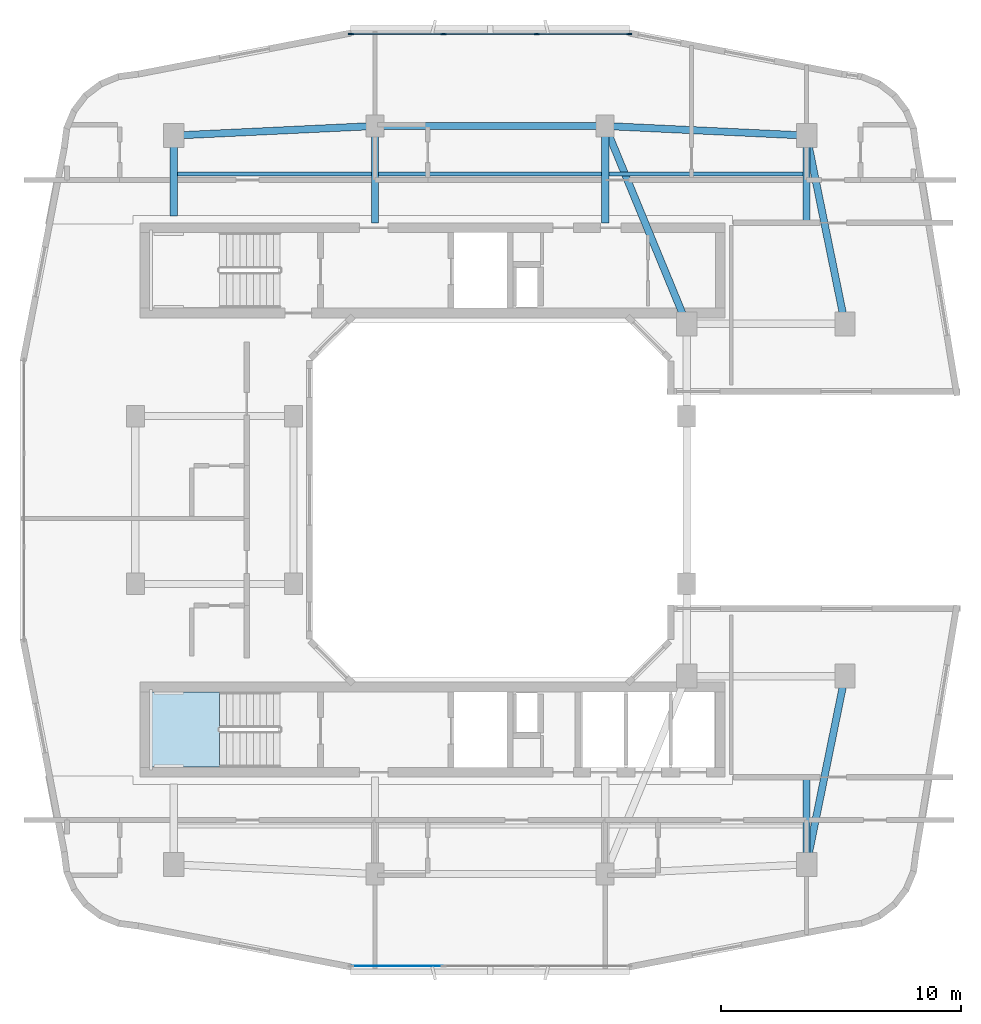
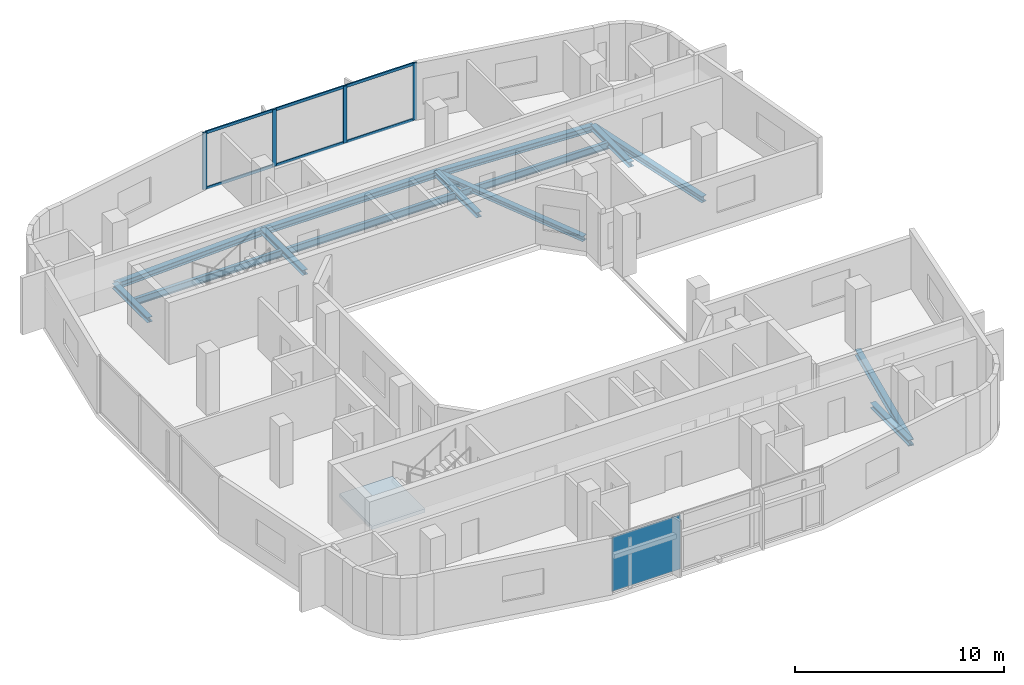
# One storey, part 3 of 12: 14 beams, 10 members, 1 plate, 1 slab, 3 elements without a shape of their own.
"""IFC4 building model written with IfcOpenShell, lengths in metres."""

from ifc_helpers import new_model, si_unit, derived_unit, direction, frame, origin, origin_2d, place, context, subcontext, project, spatial, polyline, rectangle, i_section, outline, extrude, material, layer, layer_set, material_profile, profile_set, type_object, element, aggregate, save


model = new_model("IFC4")

# Units and contexts
model_context = context("Model", 3, precision=1e-05, world=origin(), true_north=direction((0.0, 1.0)))
body_context = subcontext(model_context, "Body", "Model", "MODEL_VIEW")
ifc_project = project(units=[si_unit("LENGTHUNIT", "METRE"), si_unit("AREAUNIT", "SQUARE_METRE"), si_unit("VOLUMEUNIT", "CUBIC_METRE"), si_unit("PLANEANGLEUNIT", "RADIAN"), si_unit("MASSUNIT", "GRAM", prefix="KILO"), derived_unit("THERMALTRANSMITTANCEUNIT", [(si_unit("POWERUNIT", "WATT"), 1), (si_unit("LENGTHUNIT", "METRE"), -2), (si_unit("THERMODYNAMICTEMPERATUREUNIT", "KELVIN"), -1)])], contexts=[model_context])

# Site, building, storey
site_placement = place(None, origin())
site = spatial("IfcSite", under=ifc_project, at=site_placement, CompositionType="ELEMENT")
building_placement = place(site_placement, origin())
building = spatial("IfcBuilding", under=site, at=building_placement, Name="Kivonza Crest Hotel", CompositionType="ELEMENT")
storey_placement = place(building_placement, frame((0.0, 0.0, 184.699951171875)))
storey = spatial("IfcBuildingStorey", under=building, at=storey_placement, Name="L50", CompositionType="ELEMENT", Elevation=184.699951171875)

# Beams
ifc_material_1 = material(Name="Steel S355", Category="steel")
ifc_material_profile_1 = material_profile(ifc_material_1, i_section(OverallWidth=0.300048828125, OverallDepth=0.300048828125, WebThickness=0.010986328125, FlangeThickness=0.01904296875, FilletRadius=0.027099609375, at=origin_2d()), Name="HEB 300")
ifc_profile_set_1 = profile_set([ifc_material_profile_1], Name="Steel S355")
beam_type_1 = type_object("IfcBeamType", Name="BM-HEB300", PredefinedType="BEAM", material=ifc_profile_set_1)
beam_1_placement = place(storey_placement, frame((25.800048828125, 40.60009765625, -0.429931640625), z_axis=(0.381022260404, -0.924565864109, 0.0), x_axis=(0.924565864109, 0.381022260404, 0.0)))
element("IfcBeam", 1, at=beam_1_placement, inside=storey, type_object=beam_type_1, Name="Tower T1 L50 primary girder N1-TNE", PredefinedType="BEAM", context=body_context, shape_type="SweptSolid", body=[
    extrude(i_section(OverallWidth=0.300048828125, OverallDepth=0.300048828125, WebThickness=0.010986328125, FlangeThickness=0.01904296875, FilletRadius=0.027099609375, at=origin_2d()), origin(), (0.0, 0.0, 1.0), 8.923095703125),
])
beam_2_placement = place(storey_placement, frame((34.199951171875, 9.800048828125, -0.429931640625), z_axis=(0.0, 1.0, 0.0), x_axis=(-1.0, 0.0, 0.0)))
element("IfcBeam", 2, at=beam_2_placement, inside=storey, type_object=beam_type_1, Name="Tower T1 L50 radial core girder RSE", PredefinedType="BEAM", context=body_context, shape_type="SweptSolid", body=[
    extrude(i_section(OverallWidth=0.300048828125, OverallDepth=0.300048828125, WebThickness=0.010986328125, FlangeThickness=0.01904296875, FilletRadius=0.027099609375, at=origin_2d()), origin(), (0.0, 0.0, 1.0), 3.64990234375),
])
beam_3_placement = place(storey_placement, frame((7.800048828125, 40.199951171875, -0.429931640625), z_axis=(0.0, -1.0, 0.0), x_axis=(1.0, 0.0, 0.0)))
element("IfcBeam", 3, at=beam_3_placement, inside=storey, type_object=beam_type_1, Name="Tower T1 L50 radial core girder RNW", PredefinedType="BEAM", context=body_context, shape_type="SweptSolid", body=[
    extrude(i_section(OverallWidth=0.300048828125, OverallDepth=0.300048828125, WebThickness=0.010986328125, FlangeThickness=0.01904296875, FilletRadius=0.027099609375, at=origin_2d()), origin(), (0.0, 0.0, 1.0), 3.349853515625),
])
for number, where, z_axis, x_axis, name in (
    (4, (16.199951171875, 40.60009765625, -0.429931640625), (0.0, -1.0, 0.0), (1.0, 0.0, 0.0), "Tower T1 L50 radial core girder RN1"),
    (5, (25.800048828125, 40.60009765625, -0.429931640625), (0.0, -1.0, 0.0), (1.0, 0.0, 0.0), "Tower T1 L50 radial core girder RN2"),
):
    element("IfcBeam", number, at=place(storey_placement, frame(where, z_axis=z_axis, x_axis=x_axis)), inside=storey, type_object=beam_type_1, Name=name, PredefinedType="BEAM", context=body_context, shape_type="SweptSolid", body=[
        extrude(i_section(OverallWidth=0.300048828125, OverallDepth=0.300048828125, WebThickness=0.010986328125, FlangeThickness=0.01904296875, FilletRadius=0.027099609375, at=origin_2d()), origin(), (0.0, 0.0, 1.0), 4.050048828125),
    ])
beam_4_placement = place(storey_placement, frame((34.199951171875, 40.199951171875, -0.429931640625), z_axis=(0.0, -1.0, 0.0), x_axis=(1.0, 0.0, 0.0)))
element("IfcBeam", 6, at=beam_4_placement, inside=storey, type_object=beam_type_1, Name="Tower T1 L50 radial core girder RNE", PredefinedType="BEAM", context=body_context, shape_type="SweptSolid", body=[
    extrude(i_section(OverallWidth=0.300048828125, OverallDepth=0.300048828125, WebThickness=0.010986328125, FlangeThickness=0.01904296875, FilletRadius=0.027099609375, at=origin_2d()), origin(), (0.0, 0.0, 1.0), 3.64990234375),
])
ifc_material_profile_2 = material_profile(ifc_material_1, i_section(OverallWidth=0.300048828125, OverallDepth=0.360107421875, WebThickness=0.012451171875, FlangeThickness=0.0224609375, FilletRadius=0.027099609375, at=origin_2d()), Name="HEB 360")
ifc_profile_set_2 = profile_set([ifc_material_profile_2], Name="Steel S355")
beam_type_2 = type_object("IfcBeamType", Name="BM-HEB360", PredefinedType="SPANDREL", material=ifc_profile_set_2)
for number, where, z_axis, x_axis, name in (
    (7, (34.199951171875, 9.800048828125, -0.4599609375), (0.199730733965, 0.979850822273, 0.0), (-0.979850822273, 0.199730733965, 0.0), "Tower T1 L50 perimeter spandrel SE-PSE"),
    (8, (35.800048828125, 32.35009765625, -0.4599609375), (-0.199730733965, 0.979850822273, 0.0), (-0.979850822273, -0.199730733965, 0.0), "Tower T1 L50 perimeter spandrel PNE-NE"),
):
    element("IfcBeam", number, at=place(storey_placement, frame(where, z_axis=z_axis, x_axis=x_axis)), inside=storey, type_object=beam_type_2, Name=name, PredefinedType="SPANDREL", context=body_context, shape_type="SweptSolid", body=[
        extrude(i_section(OverallWidth=0.300048828125, OverallDepth=0.360107421875, WebThickness=0.012451171875, FlangeThickness=0.0224609375, FilletRadius=0.027099609375, at=origin_2d()), origin(), (0.0, 0.0, 1.0), 8.01123046875),
    ])
beam_5_placement = place(storey_placement, frame((34.199951171875, 40.199951171875, -0.4599609375), z_axis=(-0.998867283688, 0.047583080799, 0.0), x_axis=(-0.047583080799, -0.998867283688, 0.0)))
element("IfcBeam", 9, at=beam_5_placement, inside=storey, type_object=beam_type_2, Name="Tower T1 L50 perimeter spandrel NE-N2", PredefinedType="SPANDREL", context=body_context, shape_type="SweptSolid", body=[
    extrude(i_section(OverallWidth=0.300048828125, OverallDepth=0.360107421875, WebThickness=0.012451171875, FlangeThickness=0.0224609375, FilletRadius=0.027099609375, at=origin_2d()), origin(), (0.0, 0.0, 1.0), 8.409423828125),
])
beam_6_placement = place(storey_placement, frame((25.800048828125, 40.60009765625, -0.4599609375), z_axis=(-1.0, 0.0, 0.0), x_axis=(0.0, -1.0, 0.0)))
element("IfcBeam", 10, at=beam_6_placement, inside=storey, type_object=beam_type_2, Name="Tower T1 L50 perimeter spandrel N2-N1", PredefinedType="SPANDREL", context=body_context, shape_type="SweptSolid", body=[
    extrude(i_section(OverallWidth=0.300048828125, OverallDepth=0.360107421875, WebThickness=0.012451171875, FlangeThickness=0.0224609375, FilletRadius=0.027099609375, at=origin_2d()), origin(), (0.0, 0.0, 1.0), 9.60009765625),
])
beam_7_placement = place(storey_placement, frame((16.199951171875, 40.60009765625, -0.4599609375), z_axis=(-0.998867283688, -0.047583080799, 0.0), x_axis=(0.047583080799, -0.998867283688, 0.0)))
element("IfcBeam", 11, at=beam_7_placement, inside=storey, type_object=beam_type_2, Name="Tower T1 L50 perimeter spandrel N1-NW", PredefinedType="SPANDREL", context=body_context, shape_type="SweptSolid", body=[
    extrude(i_section(OverallWidth=0.300048828125, OverallDepth=0.360107421875, WebThickness=0.012451171875, FlangeThickness=0.0224609375, FilletRadius=0.027099609375, at=origin_2d()), origin(), (0.0, 0.0, 1.0), 8.409423828125),
])
ifc_material_profile_3 = material_profile(ifc_material_1, i_section(OverallWidth=0.179931640625, OverallDepth=0.39990234375, WebThickness=0.008544921875, FlangeThickness=0.013427734375, FilletRadius=0.02099609375, at=origin_2d()), Name="IPE 400")
ifc_profile_set_3 = profile_set([ifc_material_profile_3], Name="Steel S355")
beam_type_3 = type_object("IfcBeamType", Name="BM-IPE400", PredefinedType="JOIST", material=ifc_profile_set_3)
beam_8_placement = place(storey_placement, frame((7.8798828125, 38.60009765625, -0.47998046875), z_axis=(1.0, 0.0, 0.0), x_axis=(0.0, 1.0, 0.0)))
element("IfcBeam", 12, at=beam_8_placement, inside=storey, type_object=beam_type_3, Name="Tower T1 L50 North-West floor joist", PredefinedType="JOIST", context=body_context, shape_type="SweptSolid", body=[
    extrude(i_section(OverallWidth=0.179931640625, OverallDepth=0.39990234375, WebThickness=0.008544921875, FlangeThickness=0.013427734375, FilletRadius=0.02099609375, at=origin_2d()), origin(), (0.0, 0.0, 1.0), 8.240234375),
])
beam_9_placement = place(storey_placement, frame((16.280029296875, 38.60009765625, -0.47998046875), z_axis=(1.0, 0.0, 0.0), x_axis=(0.0, 1.0, 0.0)))
element("IfcBeam", 13, at=beam_9_placement, inside=storey, type_object=beam_type_3, Name="Tower T1 L50 North-Mid floor joist", PredefinedType="JOIST", context=body_context, shape_type="SweptSolid", body=[
    extrude(i_section(OverallWidth=0.179931640625, OverallDepth=0.39990234375, WebThickness=0.008544921875, FlangeThickness=0.013427734375, FilletRadius=0.02099609375, at=origin_2d()), origin(), (0.0, 0.0, 1.0), 9.43994140625),
])
beam_10_placement = place(storey_placement, frame((25.8798828125, 38.60009765625, -0.47998046875), z_axis=(1.0, 0.0, 0.0), x_axis=(0.0, 1.0, 0.0)))
element("IfcBeam", 14, at=beam_10_placement, inside=storey, type_object=beam_type_3, Name="Tower T1 L50 North-East floor joist", PredefinedType="JOIST", context=body_context, shape_type="SweptSolid", body=[
    extrude(i_section(OverallWidth=0.179931640625, OverallDepth=0.39990234375, WebThickness=0.008544921875, FlangeThickness=0.013427734375, FilletRadius=0.02099609375, at=origin_2d()), origin(), (0.0, 0.0, 1.0), 8.240234375),
])

# Curtain wall, members
ifc_material_2 = material(Name="Anodised bronze aluminium and low-E double glazing", Category="aluminium")
ifc_layer_1 = layer(ifc_material_2, 0.179931640625)
ifc_layer_set_1 = layer_set([ifc_layer_1], Name="Anodised bronze aluminium and low-E double glazing")
curtain_wall_type = type_object("IfcCurtainWallType", Name="CW-SYS-3", PredefinedType="NOTDEFINED", material=ifc_layer_set_1)
curtain_wall_1_placement = place(storey_placement, origin())
curtain_wall_1 = element("IfcCurtainWall", 15, at=curtain_wall_1_placement, inside=storey, type_object=curtain_wall_type, Name="L50 unitised curtain wall CW-T1-L50-36", PredefinedType="NOTDEFINED")
ifc_material_3 = material(Name="Anodised bronze aluminium", Category="aluminium")
ifc_material_profile_4 = material_profile(ifc_material_3, rectangle(XDim=0.074951171875, YDim=0.219970703125, at=origin_2d()), Name="CW-M 75x220")
ifc_profile_set_4 = profile_set([ifc_material_profile_4], Name="Anodised bronze aluminium")
member_type_1 = type_object("IfcMemberType", Name="CW-MUL-75x220", PredefinedType="MULLION", material=ifc_profile_set_4)
member_1_placement = place(storey_placement, frame((26.802490234375, 44.43994140625, 0.0), z_axis=(0.0, 0.0, 1.0), x_axis=(0.0, -1.0, 0.0)))
member_1 = element("IfcMember", 16, at=member_1_placement, type_object=member_type_1, Name="CW-3 mullion 1", PredefinedType="MULLION", context=body_context, shape_type="SweptSolid", body=[
    extrude(rectangle(XDim=0.074951171875, YDim=0.219970703125, at=origin_2d()), origin(), (0.0, 0.0, 1.0), 3.320068359375),
])
member_2_placement = place(storey_placement, frame((22.94677734375, 44.43994140625, 0.0), z_axis=(0.0, 0.0, 1.0), x_axis=(0.0, -1.0, 0.0)))
member_2 = element("IfcMember", 17, at=member_2_placement, type_object=member_type_1, Name="CW-3 mullion 2", PredefinedType="MULLION", context=body_context, shape_type="SweptSolid", body=[
    extrude(rectangle(XDim=0.074951171875, YDim=0.219970703125, at=origin_2d()), origin(), (0.0, 0.0, 1.0), 3.320068359375),
])
member_3_placement = place(storey_placement, frame((19.05322265625, 44.43994140625, 0.0), z_axis=(0.0, 0.0, 1.0), x_axis=(0.0, -1.0, 0.0)))
member_3 = element("IfcMember", 18, at=member_3_placement, type_object=member_type_1, Name="CW-3 mullion 3", PredefinedType="MULLION", context=body_context, shape_type="SweptSolid", body=[
    extrude(rectangle(XDim=0.074951171875, YDim=0.219970703125, at=origin_2d()), origin(), (0.0, 0.0, 1.0), 3.320068359375),
])
member_4_placement = place(storey_placement, frame((15.197509765625, 44.43994140625, 0.0), z_axis=(0.0, 0.0, 1.0), x_axis=(0.0, -1.0, 0.0)))
member_4 = element("IfcMember", 19, at=member_4_placement, type_object=member_type_1, Name="CW-3 mullion 4", PredefinedType="MULLION", context=body_context, shape_type="SweptSolid", body=[
    extrude(rectangle(XDim=0.074951171875, YDim=0.219970703125, at=origin_2d()), origin(), (0.0, 0.0, 1.0), 3.320068359375),
])
ifc_material_profile_5 = material_profile(ifc_material_3, rectangle(XDim=0.074951171875, YDim=0.159912109375, at=origin_2d()), Name="CW-T 75x160")
ifc_profile_set_5 = profile_set([ifc_material_profile_5], Name="Anodised bronze aluminium")
member_type_2 = type_object("IfcMemberType", Name="CW-TRN-75x160", PredefinedType="USERDEFINED", material=ifc_profile_set_5)
member_5_placement = place(storey_placement, frame((26.764892578125, 44.43994140625, 0.03759765625), z_axis=(-1.0, 0.0, 0.0), x_axis=(0.0, -1.0, 0.0)))
member_5 = element("IfcMember", 20, at=member_5_placement, type_object=member_type_2, Name="CW-3 transom 1.1", ObjectType="TRANSOM", PredefinedType="USERDEFINED", context=body_context, shape_type="SweptSolid", body=[
    extrude(rectangle(XDim=0.074951171875, YDim=0.159912109375, at=origin_2d()), origin(), (0.0, 0.0, 1.0), 3.78076171875),
])
member_6_placement = place(storey_placement, frame((26.764892578125, 44.43994140625, 3.282470703125), z_axis=(-1.0, 0.0, 0.0), x_axis=(0.0, -1.0, 0.0)))
member_6 = element("IfcMember", 21, at=member_6_placement, type_object=member_type_2, Name="CW-3 transom 1.2", ObjectType="TRANSOM", PredefinedType="USERDEFINED", context=body_context, shape_type="SweptSolid", body=[
    extrude(rectangle(XDim=0.074951171875, YDim=0.159912109375, at=origin_2d()), origin(), (0.0, 0.0, 1.0), 3.78076171875),
])
member_7_placement = place(storey_placement, frame((22.9091796875, 44.43994140625, 0.03759765625), z_axis=(-1.0, 0.0, 0.0), x_axis=(0.0, -1.0, 0.0)))
member_7 = element("IfcMember", 22, at=member_7_placement, type_object=member_type_2, Name="CW-3 transom 2.1", ObjectType="TRANSOM", PredefinedType="USERDEFINED", context=body_context, shape_type="SweptSolid", body=[
    extrude(rectangle(XDim=0.074951171875, YDim=0.159912109375, at=origin_2d()), origin(), (0.0, 0.0, 1.0), 3.818359375),
])
member_8_placement = place(storey_placement, frame((22.9091796875, 44.43994140625, 3.282470703125), z_axis=(-1.0, 0.0, 0.0), x_axis=(0.0, -1.0, 0.0)))
member_8 = element("IfcMember", 23, at=member_8_placement, type_object=member_type_2, Name="CW-3 transom 2.2", ObjectType="TRANSOM", PredefinedType="USERDEFINED", context=body_context, shape_type="SweptSolid", body=[
    extrude(rectangle(XDim=0.074951171875, YDim=0.159912109375, at=origin_2d()), origin(), (0.0, 0.0, 1.0), 3.818359375),
])
member_9_placement = place(storey_placement, frame((19.015869140625, 44.43994140625, 0.03759765625), z_axis=(-1.0, 0.0, 0.0), x_axis=(0.0, -1.0, 0.0)))
member_9 = element("IfcMember", 24, at=member_9_placement, type_object=member_type_2, Name="CW-3 transom 3.1", ObjectType="TRANSOM", PredefinedType="USERDEFINED", context=body_context, shape_type="SweptSolid", body=[
    extrude(rectangle(XDim=0.074951171875, YDim=0.159912109375, at=origin_2d()), origin(), (0.0, 0.0, 1.0), 3.78076171875),
])
member_10_placement = place(storey_placement, frame((19.015869140625, 44.43994140625, 3.282470703125), z_axis=(-1.0, 0.0, 0.0), x_axis=(0.0, -1.0, 0.0)))
member_10 = element("IfcMember", 25, at=member_10_placement, type_object=member_type_2, Name="CW-3 transom 3.2", ObjectType="TRANSOM", PredefinedType="USERDEFINED", context=body_context, shape_type="SweptSolid", body=[
    extrude(rectangle(XDim=0.074951171875, YDim=0.159912109375, at=origin_2d()), origin(), (0.0, 0.0, 1.0), 3.78076171875),
])
aggregate(curtain_wall_1, [member_1, member_2, member_3, member_4, member_5, member_6, member_7, member_8, member_9, member_10])

# Curtain wall, plate
curtain_wall_2_placement = place(storey_placement, origin())
curtain_wall_2 = element("IfcCurtainWall", 26, at=curtain_wall_2_placement, inside=storey, type_object=curtain_wall_type, Name="L50 unitised curtain wall CW-T1-L50-08", PredefinedType="NOTDEFINED")
ifc_material_4 = material(Name="Acoustic triple-laminated low-E glazing", Category="glass")
ifc_layer_2 = layer(ifc_material_4, 0.035888671875)
ifc_layer_set_2 = layer_set([ifc_layer_2], Name="Acoustic triple-laminated low-E glazing")
plate_type = type_object("IfcPlateType", Name="CW-PNL-36", PredefinedType="CURTAIN_PANEL", material=ifc_layer_set_2)
plate_placement = place(storey_placement, frame((17.12548828125, 5.56005859375, 0.0751953125), z_axis=(0.0, 0.0, 1.0), x_axis=(1.0, 0.0, 0.0)))
plate = element("IfcPlate", 27, at=plate_placement, type_object=plate_type, Name="CW-3 panel 1.1", PredefinedType="CURTAIN_PANEL", context=body_context, shape_type="SweptSolid", body=[
    extrude(rectangle(XDim=3.78076171875, YDim=0.035888671875, at=origin_2d()), origin(), (0.0, 0.0, 1.0), 3.169921875),
])
aggregate(curtain_wall_2, [plate])

# Stair, slab
ifc_material_5 = material(Name="Concrete C40/50", Category="concrete")
stair_type = type_object("IfcStairType", Name="ST-DL-20R", PredefinedType="HALF_TURN_STAIR", material=ifc_material_5)
stair_placement = place(storey_placement, origin())
stair = element("IfcStair", 28, at=stair_placement, inside=storey, type_object=stair_type, Name="L50 Protected Exit Stair ST-T1-S", PredefinedType="HALF_TURN_STAIR")
ifc_layer_3 = layer(ifc_material_5, 0.199951171875)
ifc_layer_set_3 = layer_set([ifc_layer_3], Name="Concrete C40/50")
slab_type = type_object("IfcSlabType", Name="SL-LAND-200", PredefinedType="LANDING", material=ifc_layer_set_3)
slab_placement = place(storey_placement, frame((0.0, 0.0, 1.60009765625)))
slab = element("IfcSlab", 29, at=slab_placement, type_object=slab_type, Name="ST-T1-S landing 1", PredefinedType="LANDING", context=body_context, shape_type="SweptSolid", body=[
    extrude(outline(polyline([(9.719970703125, 17.0), (6.800048828125, 17.0), (6.800048828125, 13.860107421875), (9.719970703125, 13.860107421875), (9.719970703125, 17.0)])), origin(), (0.0, 0.0, 1.0), 0.199951171875),
])
aggregate(stair, [slab])

save(model, "model.ifc")
